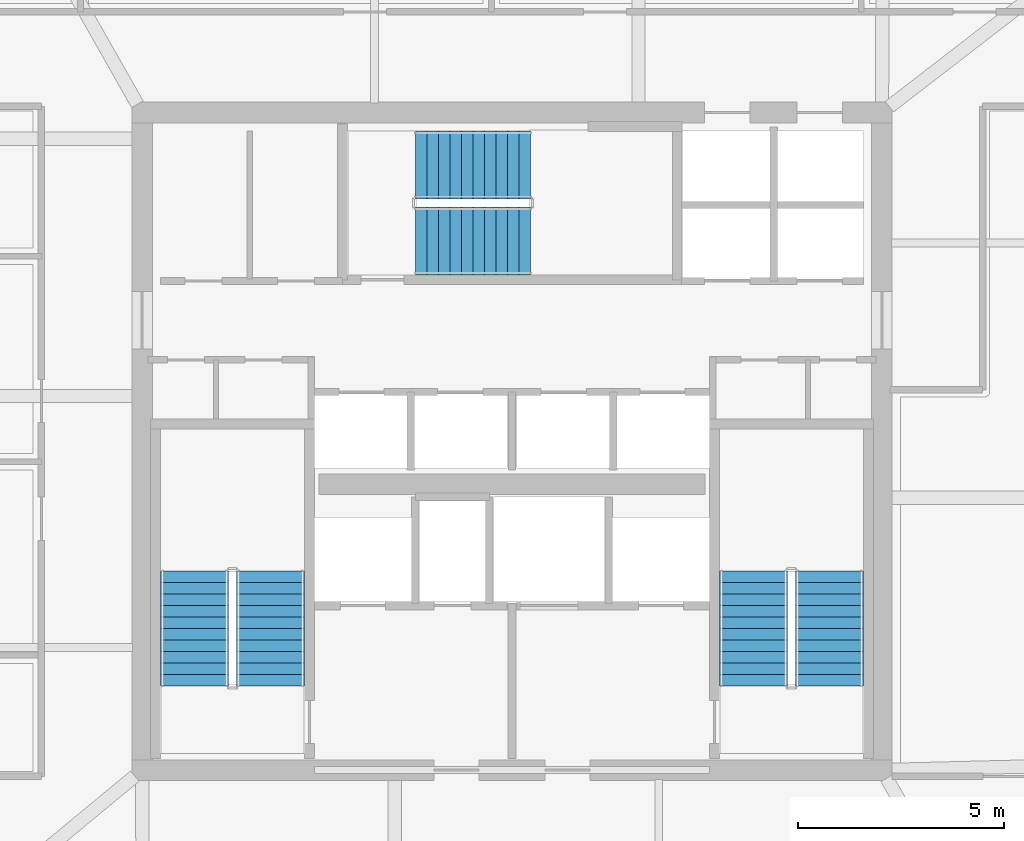
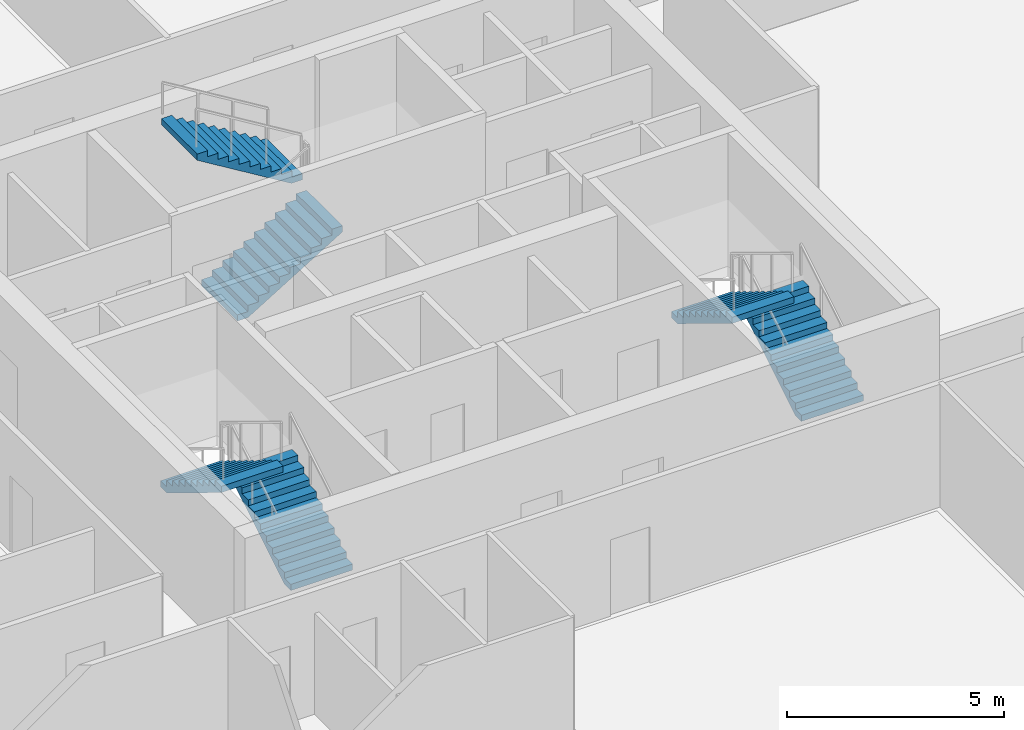
# One storey, part 28 of 33: 6 stair flights, 3 elements without a shape of their own.
"""IFC4 building model written with IfcOpenShell, lengths in metres."""

from ifc_helpers import new_model, si_unit, direction, frame, origin, place, context, subcontext, project, spatial, polyline, outline, extrude, material, type_object, element, aggregate, save


model = new_model("IFC4")

# Units and contexts
model_context = context("Model", 3, precision=1e-05, world=origin(), true_north=direction((0.0, 1.0)))
body_context = subcontext(model_context, "Body", "Model", "MODEL_VIEW")
ifc_project = project(units=[si_unit("LENGTHUNIT", "METRE"), si_unit("AREAUNIT", "SQUARE_METRE"), si_unit("VOLUMEUNIT", "CUBIC_METRE"), si_unit("PLANEANGLEUNIT", "RADIAN"), si_unit("MASSUNIT", "GRAM", prefix="KILO")], contexts=[model_context])

# Site, building, storey
site_placement = place(None, origin())
site = spatial("IfcSite", under=ifc_project, at=site_placement, CompositionType="ELEMENT")
building_placement = place(site_placement, origin())
building = spatial("IfcBuilding", under=site, at=building_placement, Name="Haldenkirk Collegiate Tower", CompositionType="ELEMENT")
storey_placement = place(building_placement, frame((0.0, 0.0, 181.949951171875)))
storey = spatial("IfcBuildingStorey", under=building, at=storey_placement, Name="L45", CompositionType="ELEMENT", Elevation=181.949951171875)

# Stair, stair flights
ifc_material = material(Name="Concrete f'c 40 MPa", Category="concrete")
stair_type = type_object("IfcStairType", Name="STR-DOGLEG-1650", PredefinedType="HALF_TURN_STAIR", material=ifc_material)
stair_1_placement = place(storey_placement, origin())
stair_1 = element("IfcStair", 1, at=stair_1_placement, inside=storey, type_object=stair_type, Name="L45 Core Exit Stair ST-1", PredefinedType="HALF_TURN_STAIR")
stair_flight_type = type_object("IfcStairFlightType", Name="STF-FLIGHT-1650", PredefinedType="STRAIGHT", material=ifc_material)
stair_flight_1_placement = place(storey_placement, frame((30.125, 20.050048828125, 0.0), z_axis=(0.0, 0.0, 1.0), x_axis=(0.0, 1.0, 0.0)))
stair_flight_1 = element("IfcStairFlight", 2, at=stair_flight_1_placement, type_object=stair_flight_type, Name="ST-1 flight 1", NumberOfRisers=11, NumberOfTreads=10, PredefinedType="STRAIGHT", RiserHeight=0.170454545, TreadLength=0.28, context=body_context, shape_type="SweptSolid", body=[
    extrude(outline(polyline([(0.0, 0.0), (0.0, 0.17041015625), (0.280029296875, 0.17041015625), (0.280029296875, 0.3408203125), (0.56005859375, 0.3408203125), (0.56005859375, 0.511474609375), (0.840087890625, 0.511474609375), (0.840087890625, 0.681884765625), (1.1201171875, 0.681884765625), (1.1201171875, 0.852294921875), (1.39990234375, 0.852294921875), (1.39990234375, 1.022705078125), (1.679931640625, 1.022705078125), (1.679931640625, 1.193115234375), (1.9599609375, 1.193115234375), (1.9599609375, 1.363525390625), (2.239990234375, 1.363525390625), (2.239990234375, 1.5341796875), (2.52001953125, 1.5341796875), (2.52001953125, 1.70458984375), (2.800048828125, 1.70458984375), (2.800048828125, 1.875), (2.800048828125, 1.529052734375), (0.288330078125, 0.0), (0.0, 0.0)])), frame((0.0, 0.824951171875, 0.0), z_axis=(0.0, -1.0, 0.0), x_axis=(1.0, 0.0, 0.0)), (0.0, 0.0, 1.0), 1.64990234375),
])
stair_flight_2_placement = place(storey_placement, frame((28.27490234375, 22.85009765625, 1.875), z_axis=(0.0, 0.0, 1.0), x_axis=(0.0, -1.0, 0.0)))
stair_flight_2 = element("IfcStairFlight", 3, at=stair_flight_2_placement, type_object=stair_flight_type, Name="ST-1 flight 2", NumberOfRisers=11, NumberOfTreads=10, PredefinedType="STRAIGHT", RiserHeight=0.170454545, TreadLength=0.28, context=body_context, shape_type="SweptSolid", body=[
    extrude(outline(polyline([(0.0, 0.0), (0.0, 0.17041015625), (0.280029296875, 0.17041015625), (0.280029296875, 0.3408203125), (0.56005859375, 0.3408203125), (0.56005859375, 0.511474609375), (0.840087890625, 0.511474609375), (0.840087890625, 0.681884765625), (1.1201171875, 0.681884765625), (1.1201171875, 0.852294921875), (1.39990234375, 0.852294921875), (1.39990234375, 1.022705078125), (1.679931640625, 1.022705078125), (1.679931640625, 1.193115234375), (1.9599609375, 1.193115234375), (1.9599609375, 1.363525390625), (2.239990234375, 1.363525390625), (2.239990234375, 1.5341796875), (2.52001953125, 1.5341796875), (2.52001953125, 1.70458984375), (2.800048828125, 1.70458984375), (2.800048828125, 1.875), (2.800048828125, 1.529052734375), (0.288330078125, 0.0), (0.0, 0.0)])), frame((0.0, 0.824951171875, 0.0), z_axis=(0.0, -1.0, 0.0), x_axis=(1.0, 0.0, 0.0)), (0.0, 0.0, 1.0), 1.64990234375),
])
aggregate(stair_1, [stair_flight_1, stair_flight_2])

stair_2_placement = place(storey_placement, origin())
stair_2 = element("IfcStair", 4, at=stair_2_placement, inside=storey, type_object=stair_type, Name="L45 Core Exit Stair ST-2", PredefinedType="HALF_TURN_STAIR")
stair_flight_3_placement = place(storey_placement, frame((43.72509765625, 20.050048828125, 0.0), z_axis=(0.0, 0.0, 1.0), x_axis=(0.0, 1.0, 0.0)))
stair_flight_3 = element("IfcStairFlight", 5, at=stair_flight_3_placement, type_object=stair_flight_type, Name="ST-2 flight 1", NumberOfRisers=11, NumberOfTreads=10, PredefinedType="STRAIGHT", RiserHeight=0.170454545, TreadLength=0.28, context=body_context, shape_type="SweptSolid", body=[
    extrude(outline(polyline([(0.0, 0.0), (0.0, 0.17041015625), (0.280029296875, 0.17041015625), (0.280029296875, 0.3408203125), (0.56005859375, 0.3408203125), (0.56005859375, 0.511474609375), (0.840087890625, 0.511474609375), (0.840087890625, 0.681884765625), (1.1201171875, 0.681884765625), (1.1201171875, 0.852294921875), (1.39990234375, 0.852294921875), (1.39990234375, 1.022705078125), (1.679931640625, 1.022705078125), (1.679931640625, 1.193115234375), (1.9599609375, 1.193115234375), (1.9599609375, 1.363525390625), (2.239990234375, 1.363525390625), (2.239990234375, 1.5341796875), (2.52001953125, 1.5341796875), (2.52001953125, 1.70458984375), (2.800048828125, 1.70458984375), (2.800048828125, 1.875), (2.800048828125, 1.529052734375), (0.288330078125, 0.0), (0.0, 0.0)])), frame((0.0, 0.824951171875, 0.0), z_axis=(0.0, -1.0, 0.0), x_axis=(1.0, 0.0, 0.0)), (0.0, 0.0, 1.0), 1.64990234375),
])
stair_flight_4_placement = place(storey_placement, frame((41.875, 22.85009765625, 1.875), z_axis=(0.0, 0.0, 1.0), x_axis=(0.0, -1.0, 0.0)))
stair_flight_4 = element("IfcStairFlight", 6, at=stair_flight_4_placement, type_object=stair_flight_type, Name="ST-2 flight 2", NumberOfRisers=11, NumberOfTreads=10, PredefinedType="STRAIGHT", RiserHeight=0.170454545, TreadLength=0.28, context=body_context, shape_type="SweptSolid", body=[
    extrude(outline(polyline([(0.0, 0.0), (0.0, 0.17041015625), (0.280029296875, 0.17041015625), (0.280029296875, 0.3408203125), (0.56005859375, 0.3408203125), (0.56005859375, 0.511474609375), (0.840087890625, 0.511474609375), (0.840087890625, 0.681884765625), (1.1201171875, 0.681884765625), (1.1201171875, 0.852294921875), (1.39990234375, 0.852294921875), (1.39990234375, 1.022705078125), (1.679931640625, 1.022705078125), (1.679931640625, 1.193115234375), (1.9599609375, 1.193115234375), (1.9599609375, 1.363525390625), (2.239990234375, 1.363525390625), (2.239990234375, 1.5341796875), (2.52001953125, 1.5341796875), (2.52001953125, 1.70458984375), (2.800048828125, 1.70458984375), (2.800048828125, 1.875), (2.800048828125, 1.529052734375), (0.288330078125, 0.0), (0.0, 0.0)])), frame((0.0, 0.824951171875, 0.0), z_axis=(0.0, -1.0, 0.0), x_axis=(1.0, 0.0, 0.0)), (0.0, 0.0, 1.0), 1.64990234375),
])
aggregate(stair_2, [stair_flight_3, stair_flight_4])

stair_3_placement = place(storey_placement, origin())
stair_3 = element("IfcStair", 7, at=stair_3_placement, inside=storey, type_object=stair_type, Name="L45 Core Exit Stair ST-3", PredefinedType="HALF_TURN_STAIR")
stair_flight_5_placement = place(storey_placement, frame((33.64990234375, 30.875, 0.0), z_axis=(0.0, 0.0, 1.0), x_axis=(1.0, 0.0, 0.0)))
stair_flight_5 = element("IfcStairFlight", 8, at=stair_flight_5_placement, type_object=stair_flight_type, Name="ST-3 flight 1", NumberOfRisers=11, NumberOfTreads=10, PredefinedType="STRAIGHT", RiserHeight=0.170454545, TreadLength=0.28, context=body_context, shape_type="SweptSolid", body=[
    extrude(outline(polyline([(0.0, 0.0), (0.0, 0.17041015625), (0.280029296875, 0.17041015625), (0.280029296875, 0.3408203125), (0.56005859375, 0.3408203125), (0.56005859375, 0.511474609375), (0.840087890625, 0.511474609375), (0.840087890625, 0.681884765625), (1.1201171875, 0.681884765625), (1.1201171875, 0.852294921875), (1.39990234375, 0.852294921875), (1.39990234375, 1.022705078125), (1.679931640625, 1.022705078125), (1.679931640625, 1.193115234375), (1.9599609375, 1.193115234375), (1.9599609375, 1.363525390625), (2.239990234375, 1.363525390625), (2.239990234375, 1.5341796875), (2.52001953125, 1.5341796875), (2.52001953125, 1.70458984375), (2.800048828125, 1.70458984375), (2.800048828125, 1.875), (2.800048828125, 1.529052734375), (0.288330078125, 0.0), (0.0, 0.0)])), frame((0.0, 0.824951171875, 0.0), z_axis=(0.0, -1.0, 0.0), x_axis=(1.0, 0.0, 0.0)), (0.0, 0.0, 1.0), 1.64990234375),
])
stair_flight_6_placement = place(storey_placement, frame((36.449951171875, 32.72509765625, 1.875), z_axis=(0.0, 0.0, 1.0), x_axis=(-1.0, 0.0, 0.0)))
stair_flight_6 = element("IfcStairFlight", 9, at=stair_flight_6_placement, type_object=stair_flight_type, Name="ST-3 flight 2", NumberOfRisers=11, NumberOfTreads=10, PredefinedType="STRAIGHT", RiserHeight=0.170454545, TreadLength=0.28, context=body_context, shape_type="SweptSolid", body=[
    extrude(outline(polyline([(0.0, 0.0), (0.0, 0.17041015625), (0.280029296875, 0.17041015625), (0.280029296875, 0.3408203125), (0.56005859375, 0.3408203125), (0.56005859375, 0.511474609375), (0.840087890625, 0.511474609375), (0.840087890625, 0.681884765625), (1.1201171875, 0.681884765625), (1.1201171875, 0.852294921875), (1.39990234375, 0.852294921875), (1.39990234375, 1.022705078125), (1.679931640625, 1.022705078125), (1.679931640625, 1.193115234375), (1.9599609375, 1.193115234375), (1.9599609375, 1.363525390625), (2.239990234375, 1.363525390625), (2.239990234375, 1.5341796875), (2.52001953125, 1.5341796875), (2.52001953125, 1.70458984375), (2.800048828125, 1.70458984375), (2.800048828125, 1.875), (2.800048828125, 1.529052734375), (0.288330078125, 0.0), (0.0, 0.0)])), frame((0.0, 0.824951171875, 0.0), z_axis=(0.0, -1.0, 0.0), x_axis=(1.0, 0.0, 0.0)), (0.0, 0.0, 1.0), 1.64990234375),
])
aggregate(stair_3, [stair_flight_5, stair_flight_6])

save(model, "model.ifc")
